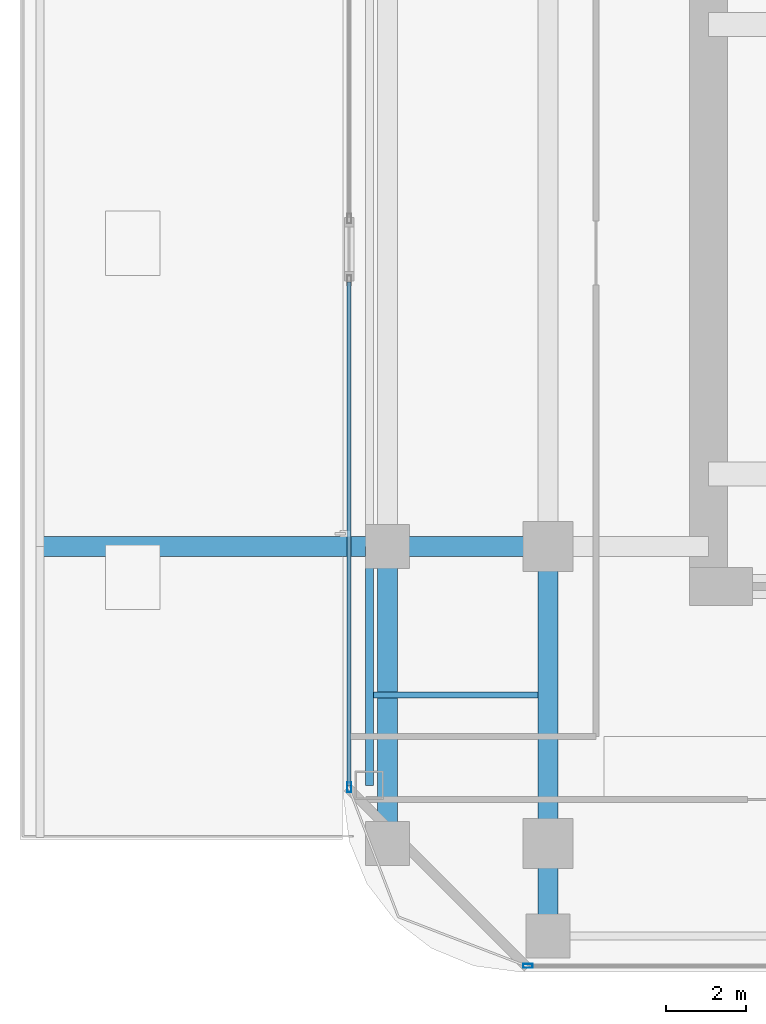
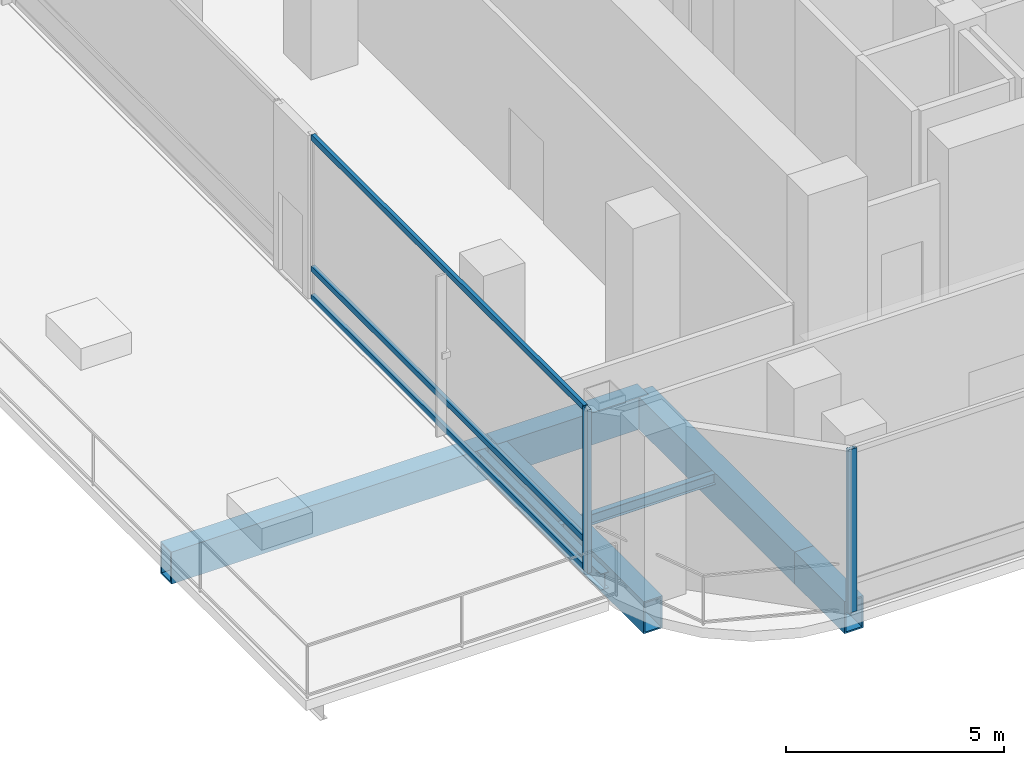
# One storey, part 2 of 28: 7 beams, 5 members, 2 elements without a shape of their own.
"""IFC4 building model written with IfcOpenShell, lengths in metres."""

from ifc_helpers import new_model, si_unit, direction, frame, origin, origin_2d, place, context, subcontext, project, spatial, hollow_rectangle, i_section, extrude, material, layer, layer_set, material_profile, profile_set, type_object, element, aggregate, save


model = new_model("IFC4")

# Units and contexts
model_context = context("Model", 3, precision=1e-05, world=origin(), true_north=direction((0.0, 1.0)))
body_context = subcontext(model_context, "Body", "Model", "MODEL_VIEW")
ifc_project = project(units=[si_unit("LENGTHUNIT", "METRE"), si_unit("AREAUNIT", "SQUARE_METRE"), si_unit("VOLUMEUNIT", "CUBIC_METRE"), si_unit("PLANEANGLEUNIT", "RADIAN"), si_unit("MASSUNIT", "GRAM", prefix="KILO")], contexts=[model_context])

# Site, building, storey
site_placement = place(None, origin())
site = spatial("IfcSite", under=ifc_project, at=site_placement, CompositionType="ELEMENT")
building_placement = place(site_placement, origin())
building = spatial("IfcBuilding", under=site, at=building_placement, Name="Khorvyn Point Tower", CompositionType="ELEMENT")
storey_placement = place(building_placement, frame((0.0, 0.0, 108.60009765625)))
storey = spatial("IfcBuildingStorey", under=building, at=storey_placement, Name="L27", CompositionType="ELEMENT", Elevation=108.60009765625)

# Curtain wall, member
ifc_material_1 = material(Name="Anodised aluminium 6063-T6 and laminated Low-E glass", Category="aluminium")
ifc_layer = layer(ifc_material_1, 0.18994140625)
ifc_layer_set = layer_set([ifc_layer], Name="Stick-Built Sky-Lobby Curtain Wall CW-SYS-05")
curtain_wall_type = type_object("IfcCurtainWallType", Name="Stick-Built Sky-Lobby Curtain Wall CW-SYS-05", PredefinedType="NOTDEFINED", material=ifc_layer_set)
curtain_wall_1_placement = place(storey_placement, origin())
curtain_wall_1 = element("IfcCurtainWall", 1, at=curtain_wall_1_placement, inside=storey, type_object=curtain_wall_type, Name="Curtain Wall", PredefinedType="NOTDEFINED")
ifc_material_2 = material(Name="Anodised aluminium 6063-T6", Category="aluminium")
ifc_material_profile_1 = material_profile(ifc_material_2, hollow_rectangle(XDim=0.10009765625, YDim=0.239990234375, WallThickness=0.0048828125, at=origin_2d()))
ifc_profile_set_1 = profile_set([ifc_material_profile_1], Name="Anodised aluminium 6063-T6 ALU-MUL-100x240")
member_type_1 = type_object("IfcMemberType", Name="Anodised Aluminium 6063-T6 Mullion ALU-MUL-100x240", PredefinedType="MULLION", material=ifc_profile_set_1)
member_1_placement = place(storey_placement, frame((-15.300048828125, -17.85009765625, 0.0), z_axis=(0.0, 0.0, 1.0), x_axis=(0.0, -1.0, 0.0)))
member_1 = element("IfcMember", 2, at=member_1_placement, type_object=member_type_1, Name="Transom", PredefinedType="MULLION", context=body_context, shape_type="SweptSolid", body=[
    extrude(hollow_rectangle(XDim=0.10009765625, YDim=0.239990234375, WallThickness=0.0048828125, at=origin_2d()), origin(), (0.0, 0.0, 1.0), 4.579833984375),
])
aggregate(curtain_wall_1, [member_1])

# Curtain wall, members
curtain_wall_2_placement = place(storey_placement, origin())
curtain_wall_2 = element("IfcCurtainWall", 3, at=curtain_wall_2_placement, inside=storey, type_object=curtain_wall_type, Name="Curtain Wall", PredefinedType="NOTDEFINED")
member_2_placement = place(storey_placement, frame((-19.75, -13.39990234375, 0.0), z_axis=(0.0, 0.0, 1.0), x_axis=(-1.0, 0.0, 0.0)))
member_2 = element("IfcMember", 4, at=member_2_placement, type_object=member_type_1, Name="Transom", PredefinedType="MULLION", context=body_context, shape_type="SweptSolid", body=[
    extrude(hollow_rectangle(XDim=0.10009765625, YDim=0.239990234375, WallThickness=0.0048828125, at=origin_2d()), origin(), (0.0, 0.0, 1.0), 4.579833984375),
])
ifc_material_profile_2 = material_profile(ifc_material_2, hollow_rectangle(XDim=0.10009765625, YDim=0.159912109375, WallThickness=0.00439453125, at=origin_2d()))
ifc_profile_set_2 = profile_set([ifc_material_profile_2], Name="Anodised aluminium 6063-T6 ALU-TRN-100x160")
member_type_2 = type_object("IfcMemberType", Name="Anodised Aluminium 6063-T6 Transom ALU-TRN-100x160", PredefinedType="USERDEFINED", material=ifc_profile_set_2)
member_3_placement = place(storey_placement, frame((-19.75, -13.35009765625, 0.0498046875), z_axis=(0.0, 1.0, 0.0), x_axis=(-1.0, 0.0, 0.0)))
member_3 = element("IfcMember", 5, at=member_3_placement, type_object=member_type_2, Name="Transom", ObjectType="TRANSOM", PredefinedType="USERDEFINED", context=body_context, shape_type="SweptSolid", body=[
    extrude(hollow_rectangle(XDim=0.10009765625, YDim=0.159912109375, WallThickness=0.00439453125, at=origin_2d()), origin(), (0.0, 0.0, 1.0), 12.530029296875),
])
member_4_placement = place(storey_placement, frame((-19.75, -13.35009765625, 0.849853515625), z_axis=(0.0, 1.0, 0.0), x_axis=(-1.0, 0.0, 0.0)))
member_4 = element("IfcMember", 6, at=member_4_placement, type_object=member_type_2, Name="Transom", ObjectType="TRANSOM", PredefinedType="USERDEFINED", context=body_context, shape_type="SweptSolid", body=[
    extrude(hollow_rectangle(XDim=0.10009765625, YDim=0.159912109375, WallThickness=0.00439453125, at=origin_2d()), origin(), (0.0, 0.0, 1.0), 12.530029296875),
])
member_5_placement = place(storey_placement, frame((-19.75, -13.35009765625, 4.52978515625), z_axis=(0.0, 1.0, 0.0), x_axis=(-1.0, 0.0, 0.0)))
member_5 = element("IfcMember", 7, at=member_5_placement, type_object=member_type_2, Name="Transom", ObjectType="TRANSOM", PredefinedType="USERDEFINED", context=body_context, shape_type="SweptSolid", body=[
    extrude(hollow_rectangle(XDim=0.10009765625, YDim=0.159912109375, WallThickness=0.00439453125, at=origin_2d()), origin(), (0.0, 0.0, 1.0), 12.530029296875),
])
aggregate(curtain_wall_2, [member_2, member_3, member_4, member_5])

# Beams
ifc_material_3 = material(Name="Steel S355", Category="steel")
ifc_material_profile_3 = material_profile(ifc_material_3, i_section(OverallWidth=0.14990234375, OverallDepth=0.300048828125, WebThickness=0.006591796875, FlangeThickness=0.009033203125, at=origin_2d()))
ifc_profile_set_3 = profile_set([ifc_material_profile_3], Name="Steel S355 H300x150x6.5x9")
beam_type_1 = type_object("IfcBeamType", Name="Steel S355 Joist H300x150x6.5x9", PredefinedType="JOIST", material=ifc_profile_set_3)
beam_1_placement = place(storey_placement, frame((-19.14990234375, -11.10009765625, -0.43017578125), z_axis=(1.0, 0.0, 0.0), x_axis=(0.0, 1.0, 0.0)))
element("IfcBeam", 8, at=beam_1_placement, inside=storey, type_object=beam_type_1, Name="Beam", PredefinedType="JOIST", context=body_context, shape_type="SweptSolid", body=[
    extrude(i_section(OverallWidth=0.14990234375, OverallDepth=0.300048828125, WebThickness=0.006591796875, FlangeThickness=0.009033203125, at=origin_2d()), origin(), (0.0, 0.0, 1.0), 4.099853515625),
])
ifc_material_profile_4 = material_profile(ifc_material_3, i_section(OverallWidth=0.199951171875, OverallDepth=0.449951171875, WebThickness=0.009033203125, FlangeThickness=0.013916015625, at=origin_2d()))
ifc_profile_set_4 = profile_set([ifc_material_profile_4], Name="Steel S355 H450x200x9x14")
beam_type_2 = type_object("IfcBeamType", Name="Steel S355 Spandrel H450x200x9x14", PredefinedType="SPANDREL", material=ifc_profile_set_4)
beam_2_placement = place(storey_placement, frame((-19.25, -13.35009765625, -0.505126953125), z_axis=(0.0, 1.0, 0.0), x_axis=(-1.0, 0.0, 0.0)))
element("IfcBeam", 9, at=beam_2_placement, inside=storey, type_object=beam_type_2, Name="Beam", PredefinedType="SPANDREL", context=body_context, shape_type="SweptSolid", body=[
    extrude(i_section(OverallWidth=0.199951171875, OverallDepth=0.449951171875, WebThickness=0.009033203125, FlangeThickness=0.013916015625, at=origin_2d()), origin(), (0.0, 0.0, 1.0), 5.9501953125),
])
ifc_material_4 = material(Name="Steel S450", Category="steel")
ifc_material_profile_5 = material_profile(ifc_material_4, hollow_rectangle(XDim=0.5, YDim=0.89990234375, WallThickness=0.0400390625, at=origin_2d()))
ifc_profile_set_5 = profile_set([ifc_material_profile_5], Name="Steel S450 BOX900x500x40")
beam_type_3 = type_object("IfcBeamType", Name="Steel S450 Beam BOX900x500x40", PredefinedType="BEAM", material=ifc_profile_set_5)
beam_3_placement = place(storey_placement, frame((-27.449951171875, -7.39990234375, -0.72998046875), z_axis=(1.0, 0.0, 0.0), x_axis=(0.0, 1.0, 0.0)))
element("IfcBeam", 10, at=beam_3_placement, inside=storey, type_object=beam_type_3, Name="Beam", PredefinedType="BEAM", context=body_context, shape_type="SweptSolid", body=[
    extrude(hollow_rectangle(XDim=0.5, YDim=0.89990234375, WallThickness=0.0400390625, at=origin_2d()), origin(), (0.0, 0.0, 1.0), 8.64990234375),
])
beam_4_placement = place(storey_placement, frame((-18.800048828125, -7.39990234375, -0.72998046875), z_axis=(1.0, 0.0, 0.0), x_axis=(0.0, 1.0, 0.0)))
element("IfcBeam", 11, at=beam_4_placement, inside=storey, type_object=beam_type_3, Name="Beam", PredefinedType="BEAM", context=body_context, shape_type="SweptSolid", body=[
    extrude(hollow_rectangle(XDim=0.5, YDim=0.89990234375, WallThickness=0.0400390625, at=origin_2d()), origin(), (0.0, 0.0, 1.0), 4.0),
])
beam_5_placement = place(storey_placement, frame((-14.800048828125, -17.10009765625, -0.72998046875), z_axis=(0.0, 1.0, 0.0), x_axis=(-1.0, 0.0, 0.0)))
element("IfcBeam", 12, at=beam_5_placement, inside=storey, type_object=beam_type_3, Name="L27 Radial Transfer Girder", PredefinedType="BEAM", context=body_context, shape_type="SweptSolid", body=[
    extrude(hollow_rectangle(XDim=0.5, YDim=0.89990234375, WallThickness=0.0400390625, at=origin_2d()), origin(), (0.0, 0.0, 1.0), 2.300048828125),
])
for number, where, z_axis, x_axis, name in (
    (13, (-14.800048828125, -14.800048828125, -0.72998046875), (0.0, 1.0, 0.0), (-1.0, 0.0, 0.0), "L27 Radial Transfer Girder"),
    (14, (-18.800048828125, -14.800048828125, -0.72998046875), (0.0, 1.0, 0.0), (-1.0, 0.0, 0.0), "Beam"),
):
    element("IfcBeam", number, at=place(storey_placement, frame(where, z_axis=z_axis, x_axis=x_axis)), inside=storey, type_object=beam_type_3, Name=name, PredefinedType="BEAM", context=body_context, shape_type="SweptSolid", body=[
        extrude(hollow_rectangle(XDim=0.5, YDim=0.89990234375, WallThickness=0.0400390625, at=origin_2d()), origin(), (0.0, 0.0, 1.0), 7.400146484375),
    ])

save(model, "model.ifc")
